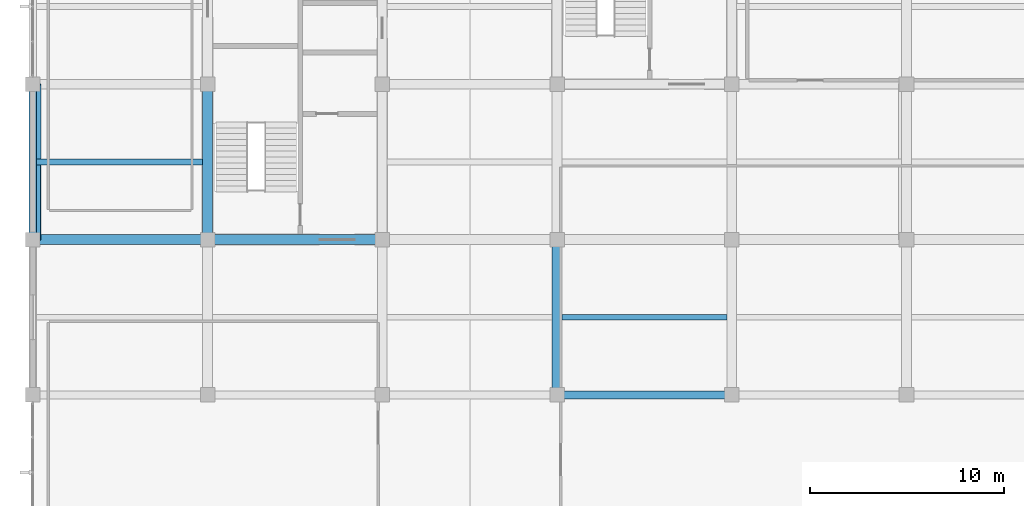
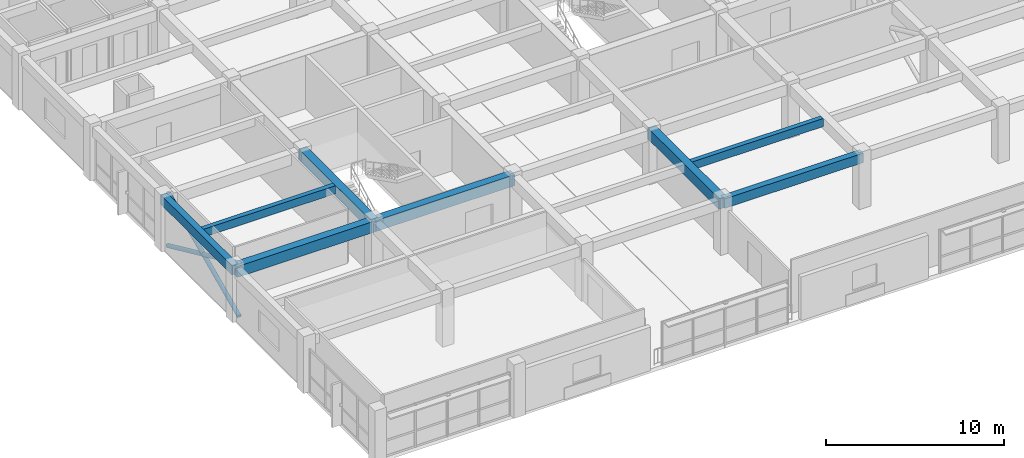
# One storey, part 3 of 15: 8 beams, 2 members.
"""IFC4 building model written with IfcOpenShell, lengths in metres."""

import ifcopenshell
import ifcopenshell.guid

model = None  # the IFC model being written
_history = None  # IfcOwnerHistory: only IFC2X3 demands one
_inside = {}  # id of a spatial element -> (the spatial element, [elements in it])
_under = {}  # id of a project, library or spatial element -> (it, [spatial elements below it])
_declared = {}  # id of a project -> (the project, [libraries it declares])
_typed = {}  # id of a type object -> (the type object, [elements of that type])
_made_of = {}  # id of a material, layer set ... -> (it, [elements and type objects made of it])


def new_model(schema):
    """Start an empty IFC model of exactly this schema.

    Asked for "IFC4X3", IfcOpenShell would pick the latest addendum, in which some entities
    have other attributes; the version numbers below select the first issue.
    IFC2X3 requires an IfcOwnerHistory on every rooted entity: one is made here for all.
    """
    global model, _history
    if schema == "IFC4X3":
        model = ifcopenshell.file(schema_version=(4, 3, 0, 0))
    else:
        model = ifcopenshell.file(schema=schema)
    _inside.clear()
    _under.clear()
    _declared.clear()
    _typed.clear()
    _made_of.clear()
    _history = None
    if model.schema == "IFC2X3":
        org = make("IfcOrganization", Name="unknown")
        user = make(
            "IfcPersonAndOrganization",
            ThePerson=make("IfcPerson", FamilyName="unknown"),
            TheOrganization=org,
        )
        app = make(
            "IfcApplication",
            ApplicationDeveloper=org,
            Version="unknown",
            ApplicationFullName="unknown",
            ApplicationIdentifier="unknown",
        )
        _history = make(
            "IfcOwnerHistory",
            OwningUser=user,
            OwningApplication=app,
            ChangeAction="ADDED",
            CreationDate=0,
        )
    return model


def make(cls, **values):
    """One entity of the class cls with the attributes given. An attribute that is None is left unset."""
    return model.create_entity(
        cls, **{name: value for name, value in values.items() if value is not None}
    )


def rooted(cls, **values):
    """An entity with a GlobalId (a new one), such as an element, a storey or a relation."""
    return make(cls, GlobalId=ifcopenshell.guid.new(), OwnerHistory=_history, **values)


def si_unit(unit_type, name, prefix=None):
    """IfcSIUnit, for example si_unit("LENGTHUNIT", "METRE", prefix="MILLI")."""
    return make("IfcSIUnit", UnitType=unit_type, Prefix=prefix, Name=name)


def assignment(units):
    """IfcUnitAssignment: the units of a project."""
    return None if units is None else make("IfcUnitAssignment", Units=units)


def point(xyz):
    """IfcCartesianPoint."""
    return None if xyz is None else make("IfcCartesianPoint", Coordinates=xyz)


def direction(xyz):
    """IfcDirection."""
    return None if xyz is None else make("IfcDirection", DirectionRatios=xyz)


def frame(location, z_axis=None, x_axis=None):
    """IfcAxis2Placement3D, a coordinate frame: its origin and axes. An axis left out is left unset."""
    return make(
        "IfcAxis2Placement3D",
        Location=point(location),
        Axis=direction(z_axis),
        RefDirection=direction(x_axis),
    )


def frame_2d(location, x_axis=None):
    """IfcAxis2Placement2D, a coordinate frame in the plane: its origin and x axis."""
    return make(
        "IfcAxis2Placement2D", Location=point(location), RefDirection=direction(x_axis)
    )


def origin():
    """The frame at (0, 0, 0) with its axes left unset."""
    return frame((0.0, 0.0, 0.0))


def origin_2d():
    """The frame at (0, 0) in the plane with its x axis left unset."""
    return frame_2d((0.0, 0.0))


def place(relative_to, where):
    """IfcLocalPlacement: puts the frame where relative to a parent placement (None: the world)."""
    return make(
        "IfcLocalPlacement", PlacementRelTo=relative_to, RelativePlacement=where
    )


def context(
    kind, dimensions, precision=None, world=None, true_north=None, identifier=None
):
    """IfcGeometricRepresentationContext, for example the 3D "Model" context."""
    return make(
        "IfcGeometricRepresentationContext",
        ContextIdentifier=identifier,
        ContextType=kind,
        CoordinateSpaceDimension=dimensions,
        Precision=precision,
        WorldCoordinateSystem=world,
        TrueNorth=true_north,
    )


def subcontext(parent, identifier, kind, view, scale=None):
    """IfcGeometricRepresentationSubContext, for example "Body" below "Model"."""
    return make(
        "IfcGeometricRepresentationSubContext",
        ContextIdentifier=identifier,
        ContextType=kind,
        ParentContext=parent,
        TargetScale=scale,
        TargetView=view,
    )


def project(units=None, contexts=None):
    """IfcProject with its units and contexts."""
    return rooted(
        "IfcProject",
        Name="project",
        RepresentationContexts=contexts,
        UnitsInContext=assignment(units),
    )


def spatial(cls, under=None, at=None, **own):
    """A site, building, storey or space (cls), placed at a placement, below another one or the project."""
    s = rooted(cls, ObjectPlacement=at, **own)
    if under is not None:
        _under.setdefault(under.id(), (under, []))[1].append(s)
    return s


def profile(cls, at=None, kind="AREA", **sizes):
    """A parametric profile (cls). Its sizes go by their IFC names, for example OverallWidth=200.0."""
    return make(cls, ProfileType=kind, Position=at, **sizes)


def rectangle(**sizes):
    """IfcRectangleProfileDef."""
    return profile("IfcRectangleProfileDef", **sizes)


def hollow_circle(**sizes):
    """IfcCircleHollowProfileDef."""
    return profile("IfcCircleHollowProfileDef", **sizes)


def extrude(swept, where, along, depth):
    """IfcExtrudedAreaSolid: the profile swept, set in the frame where, extruded along a direction by depth."""
    return make(
        "IfcExtrudedAreaSolid",
        SweptArea=swept,
        Position=where,
        ExtrudedDirection=direction(along),
        Depth=depth,
    )


def shape(context_of_items, identifier, shape_type, items):
    """IfcShapeRepresentation: the items that make up one representation, for example the "Body"."""
    return make(
        "IfcShapeRepresentation",
        ContextOfItems=context_of_items,
        RepresentationIdentifier=identifier,
        RepresentationType=shape_type,
        Items=items,
    )


def material(Name=None, Category=None):
    """IfcMaterial."""
    return make("IfcMaterial", Name=Name, Category=Category)


def material_profile(
    of_material, cross_section, Name=None, Category=None, Priority=None
):
    """IfcMaterialProfile: a cross section and its material."""
    return make(
        "IfcMaterialProfile",
        Name=Name,
        Material=of_material,
        Profile=cross_section,
        Priority=Priority,
        Category=Category,
    )


def profile_set(profiles, Name=None, composite=None):
    """IfcMaterialProfileSet."""
    return make(
        "IfcMaterialProfileSet",
        Name=Name,
        MaterialProfiles=profiles,
        CompositeProfile=composite,
    )


def made_of(thing, what):
    """Note that an element or type object is made of a material, layer set ...; save() writes the relation."""
    if what is not None:
        _made_of.setdefault(what.id(), (what, []))[1].append(thing)
    return thing


def type_object(cls, material=None, **own):
    """A type object (cls), such as IfcWallType, which elements share."""
    return made_of(rooted(cls, **own), material)


def element(
    cls,
    number,
    at=None,
    inside=None,
    cuts=None,
    type_object=None,
    material=None,
    context=None,
    identifier="Body",
    shape_type=None,
    held_by="IfcProductDefinitionShape",
    body=None,
    shapes=None,
    **own,
):
    """One element of the class cls, such as IfcWall. Its Tag is "e" and its number.

    at: its placement. inside: the storey or other place that contains it. cuts: it is an
    opening in that element (IfcRelVoidsElement). A single representation is given by context,
    identifier, shape_type and body (its items); several are given by shapes. held_by: the class
    of the entity that holds the representations. save() writes the other relations.
    """
    e = rooted(cls, Tag="e%d" % number, ObjectPlacement=at, **own)
    if body is not None:
        shapes = [shape(context, identifier, shape_type, body)]
    if shapes is not None:
        e.Representation = make(held_by, Representations=shapes)
    if inside is not None:
        _inside.setdefault(inside.id(), (inside, []))[1].append(e)
    if cuts is not None:
        rooted(
            "IfcRelVoidsElement", RelatingBuildingElement=cuts, RelatedOpeningElement=e
        )
    if type_object is not None:
        _typed.setdefault(type_object.id(), (type_object, []))[1].append(e)
    return made_of(e, material)


def aggregate(whole, parts):
    """IfcRelAggregates: a whole, such as a stair, and the parts it consists of."""
    return rooted("IfcRelAggregates", RelatingObject=whole, RelatedObjects=parts)


def save(model, path):
    """Write the relations noted so far, then the file.

    IfcRelAggregates (storeys below a building ...), IfcRelContainedInSpatialStructure (elements
    in a storey), IfcRelDefinesByType, IfcRelAssociatesMaterial and IfcRelDeclares: one each for
    every whole, place, type object, material and project.
    """
    for whole, parts in _under.values():
        aggregate(whole, parts)
    for where, things in _inside.values():
        rooted(
            "IfcRelContainedInSpatialStructure",
            RelatedElements=things,
            RelatingStructure=where,
        )
    for kind, things in _typed.values():
        rooted("IfcRelDefinesByType", RelatedObjects=things, RelatingType=kind)
    for what, things in _made_of.values():
        rooted("IfcRelAssociatesMaterial", RelatedObjects=things, RelatingMaterial=what)
    for by, libraries in _declared.values():
        rooted("IfcRelDeclares", RelatingContext=by, RelatedDefinitions=libraries)
    model.write(path)


model = new_model("IFC4")

# Units and contexts
model_context = context("Model", 3, precision=1e-05, world=origin(), true_north=direction((0.0, 1.0)))
body_context = subcontext(model_context, "Body", "Model", "MODEL_VIEW")
ifc_project = project(units=[si_unit("LENGTHUNIT", "METRE"), si_unit("AREAUNIT", "SQUARE_METRE"), si_unit("VOLUMEUNIT", "CUBIC_METRE"), si_unit("PLANEANGLEUNIT", "RADIAN"), si_unit("MASSUNIT", "GRAM", prefix="KILO")], contexts=[model_context])

# Site, building, storey
site_placement = place(None, origin())
site = spatial("IfcSite", under=ifc_project, at=site_placement, CompositionType="ELEMENT")
building_placement = place(site_placement, origin())
building = spatial("IfcBuilding", under=site, at=building_placement, Name="Zaverband Oceanarium and Marine Research Institute", CompositionType="ELEMENT")
storey_placement = place(building_placement, frame((0.0, 0.0, 53.10009765625)))
storey = spatial("IfcBuildingStorey", under=building, at=storey_placement, Name="L13", CompositionType="ELEMENT", Elevation=53.10009765625)

# Beams
ifc_material_1 = material(Name="Concrete C40/50", Category="concrete")
ifc_material_profile_1 = material_profile(ifc_material_1, rectangle(XDim=0.5, YDim=0.75, at=origin_2d()), Name="RC500x750")
ifc_profile_set_1 = profile_set([ifc_material_profile_1], Name="Concrete C40/50")
beam_type_1 = type_object("IfcBeamType", Name="BM-500x750", PredefinedType="BEAM", material=ifc_profile_set_1)
for number, where, z_axis, x_axis, name in (
    (1, (9.0, 80.0, 3.27490234375), (1.0, 0.0, 0.0), (0.0, 1.0, 0.0), "Primary floor girder BM-500x750"),
    (2, (18.0, 80.0, 3.27490234375), (1.0, 0.0, 0.0), (0.0, 1.0, 0.0), "Primary floor girder BM-500x750"),
):
    element("IfcBeam", number, at=place(storey_placement, frame(where, z_axis=z_axis, x_axis=x_axis)), inside=storey, type_object=beam_type_1, Name=name, PredefinedType="BEAM", context=body_context, shape_type="SweptSolid", body=[
        extrude(rectangle(XDim=0.5, YDim=0.75, at=origin_2d()), origin(), (0.0, 0.0, 1.0), 9.0),
    ])
for number, where, z_axis, x_axis, name in (
    (3, (18.0, 80.0, 3.27490234375), (0.0, 1.0, 0.0), (-1.0, 0.0, 0.0), "Primary floor girder BM-500x750"),
    (4, (36.0, 72.0, 3.27490234375), (0.0, 1.0, 0.0), (-1.0, 0.0, 0.0), "Primary floor girder BM-500x750"),
):
    element("IfcBeam", number, at=place(storey_placement, frame(where, z_axis=z_axis, x_axis=x_axis)), inside=storey, type_object=beam_type_1, Name=name, PredefinedType="BEAM", context=body_context, shape_type="SweptSolid", body=[
        extrude(rectangle(XDim=0.5, YDim=0.75, at=origin_2d()), origin(), (0.0, 0.0, 1.0), 8.0),
    ])

# Members
ifc_material_2 = material(Name="Steel S355", Category="steel")
ifc_material_profile_2 = material_profile(ifc_material_2, hollow_circle(Radius=0.136474609375, WallThickness=0.010009765625, at=origin_2d()), Name="CHS273x10")
ifc_profile_set_2 = profile_set([ifc_material_profile_2], Name="Steel S355")
member_type = type_object("IfcMemberType", Name="BR-01", PredefinedType="BRACE", material=ifc_profile_set_2)
for number, where, z_axis, x_axis, name in (
    (5, (9.280029296875, 80.0, 0.0), (0.0, 0.909785572369, 0.415078561612), (-1.0, 0.0, 0.0), "Diagonal lateral brace BR-01"),
    (6, (9.280029296875, 88.0, 0.0), (0.0, -0.909785572369, 0.415078561612), (1.0, 0.0, 0.0), "Diagonal lateral brace BR-01"),
):
    element("IfcMember", number, at=place(storey_placement, frame(where, z_axis=z_axis, x_axis=x_axis)), inside=storey, type_object=member_type, Name=name, PredefinedType="BRACE", context=body_context, shape_type="SweptSolid", body=[
        extrude(hollow_circle(Radius=0.136474609375, WallThickness=0.010009765625, at=origin_2d()), origin(), (0.0, 0.0, 1.0), 8.793212890625),
    ])

# Beams
ifc_material_profile_3 = material_profile(ifc_material_1, rectangle(XDim=0.300048828125, YDim=0.550048828125, at=origin_2d()), Name="RC300x550")
ifc_profile_set_3 = profile_set([ifc_material_profile_3], Name="Concrete C40/50")
beam_type_2 = type_object("IfcBeamType", Name="JST-300x550", PredefinedType="JOIST", material=ifc_profile_set_3)
beam_1_placement = place(storey_placement, frame((9.199951171875, 84.0, 3.375), z_axis=(1.0, 0.0, 0.0), x_axis=(0.0, 1.0, 0.0)))
element("IfcBeam", 7, at=beam_1_placement, inside=storey, type_object=beam_type_2, Name="Secondary floor joist JST-300x550", PredefinedType="JOIST", context=body_context, shape_type="SweptSolid", body=[
    extrude(rectangle(XDim=0.300048828125, YDim=0.550048828125, at=origin_2d()), origin(), (0.0, 0.0, 1.0), 8.550048828125),
])
beam_2_placement = place(storey_placement, frame((36.25, 76.0, 3.375), z_axis=(1.0, 0.0, 0.0), x_axis=(0.0, 1.0, 0.0)))
element("IfcBeam", 8, at=beam_2_placement, inside=storey, type_object=beam_type_2, Name="Secondary floor joist JST-300x550", PredefinedType="JOIST", context=body_context, shape_type="SweptSolid", body=[
    extrude(rectangle(XDim=0.300048828125, YDim=0.550048828125, at=origin_2d()), origin(), (0.0, 0.0, 1.0), 8.5),
])
ifc_material_profile_4 = material_profile(ifc_material_1, rectangle(XDim=0.39990234375, YDim=0.64990234375, at=origin_2d()), Name="RC400x650")
ifc_profile_set_4 = profile_set([ifc_material_profile_4], Name="Concrete C40/50")
beam_type_3 = type_object("IfcBeamType", Name="SPN-400x650", PredefinedType="SPANDREL", material=ifc_profile_set_4)
beam_3_placement = place(storey_placement, frame((36.0, 72.0, 3.324951171875), z_axis=(1.0, 0.0, 0.0), x_axis=(0.0, 1.0, 0.0)))
element("IfcBeam", 9, at=beam_3_placement, inside=storey, type_object=beam_type_3, Name="Perimeter spandrel beam SPN-400x650", PredefinedType="SPANDREL", context=body_context, shape_type="SweptSolid", body=[
    extrude(rectangle(XDim=0.39990234375, YDim=0.64990234375, at=origin_2d()), origin(), (0.0, 0.0, 1.0), 9.0),
])
beam_4_placement = place(storey_placement, frame((9.0, 80.0, 3.324951171875), z_axis=(0.0, 1.0, 0.0), x_axis=(-1.0, 0.0, 0.0)))
element("IfcBeam", 10, at=beam_4_placement, inside=storey, type_object=beam_type_3, Name="Perimeter spandrel beam SPN-400x650", PredefinedType="SPANDREL", context=body_context, shape_type="SweptSolid", body=[
    extrude(rectangle(XDim=0.39990234375, YDim=0.64990234375, at=origin_2d()), origin(), (0.0, 0.0, 1.0), 8.0),
])

save(model, "model.ifc")
